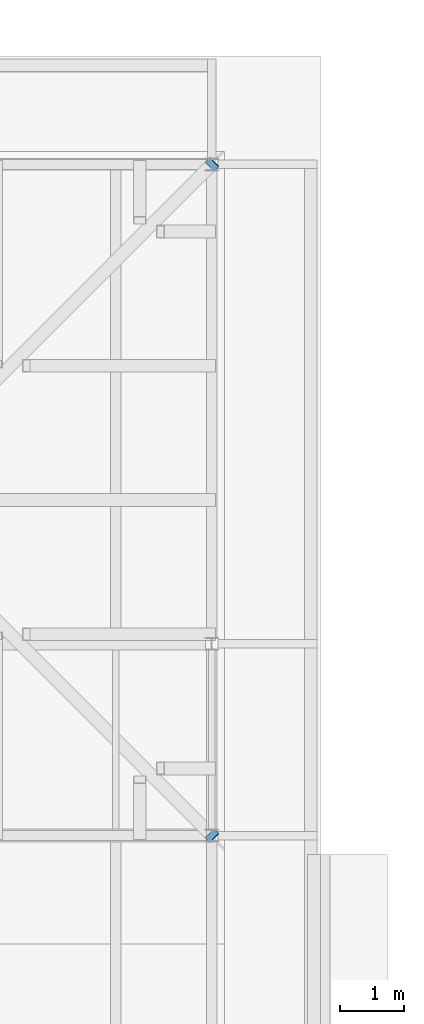
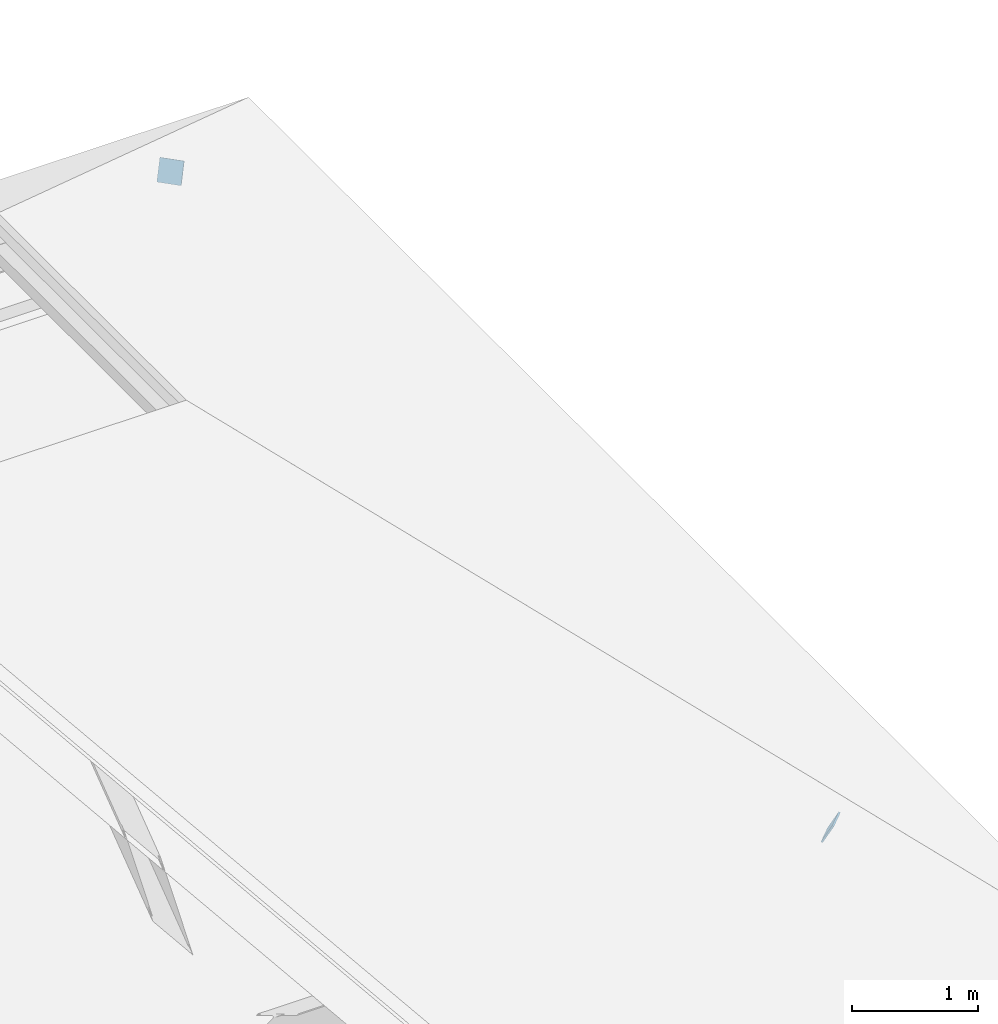
# One storey, part 33 of 42: 2 discrete accessories.
"""IFC4 building model written with IfcOpenShell, lengths in metres."""

from ifc_helpers import new_model, si_unit, direction, frame, origin, origin_2d, place, context, subcontext, project, spatial, rectangle, extrude, material, material_profile, profile_set, type_object, element, save


model = new_model("IFC4")

# Units and contexts
model_context = context("Model", 3, precision=1e-05, world=origin(), true_north=direction((0.0, 1.0)))
body_context = subcontext(model_context, "Body", "Model", "MODEL_VIEW")
ifc_project = project(units=[si_unit("LENGTHUNIT", "METRE"), si_unit("AREAUNIT", "SQUARE_METRE"), si_unit("VOLUMEUNIT", "CUBIC_METRE"), si_unit("PLANEANGLEUNIT", "RADIAN"), si_unit("MASSUNIT", "GRAM", prefix="KILO")], contexts=[model_context])

# Site, building, storey
site_placement = place(None, origin())
site = spatial("IfcSite", under=ifc_project, at=site_placement, CompositionType="ELEMENT")
building_placement = place(site_placement, origin())
building = spatial("IfcBuilding", under=site, at=building_placement, Name="Golden Quay Civic Hall", CompositionType="ELEMENT")
storey_placement = place(building_placement, frame((0.0, 0.0, 22.800048828125)))
storey = spatial("IfcBuildingStorey", under=building, at=storey_placement, Name="L05", CompositionType="ELEMENT", Elevation=22.800048828125)

# Discrete accessories
ifc_material = material(Name="Steel S355", Category="steel")
ifc_material_profile = material_profile(ifc_material, rectangle(XDim=0.199951171875, YDim=0.199951171875, at=origin_2d()), Name="Steel end cap plate 200x200x16")
ifc_profile_set = profile_set([ifc_material_profile], Name="Steel S355")
discrete_accessory_type = type_object("IfcDiscreteAccessoryType", Name="Steel end cap plate 200x200x16", PredefinedType="BRACKET", material=ifc_profile_set)
for number, where, z_axis, x_axis, name in (
    (1, (54.0, 70.5, 1.1533203125), (0.623578652148, -0.623578652148, -0.471486297966), (0.707106781187, 0.707106781187, 0.0), "End cap hip rafter NW-E south-east"),
    (2, (54.0, 81.0, 1.1533203125), (0.623578652148, 0.623578652148, -0.471486297966), (-0.707106781187, 0.707106781187, 0.0), "End cap hip rafter NW-E north-east"),
):
    element("IfcDiscreteAccessory", number, at=place(storey_placement, frame(where, z_axis=z_axis, x_axis=x_axis)), inside=storey, type_object=discrete_accessory_type, Name=name, PredefinedType="BRACKET", context=body_context, shape_type="SweptSolid", body=[
        extrude(rectangle(XDim=0.199951171875, YDim=0.199951171875, at=origin_2d()), origin(), (0.0, 0.0, 1.0), 0.01611328125),
    ])

save(model, "model.ifc")
